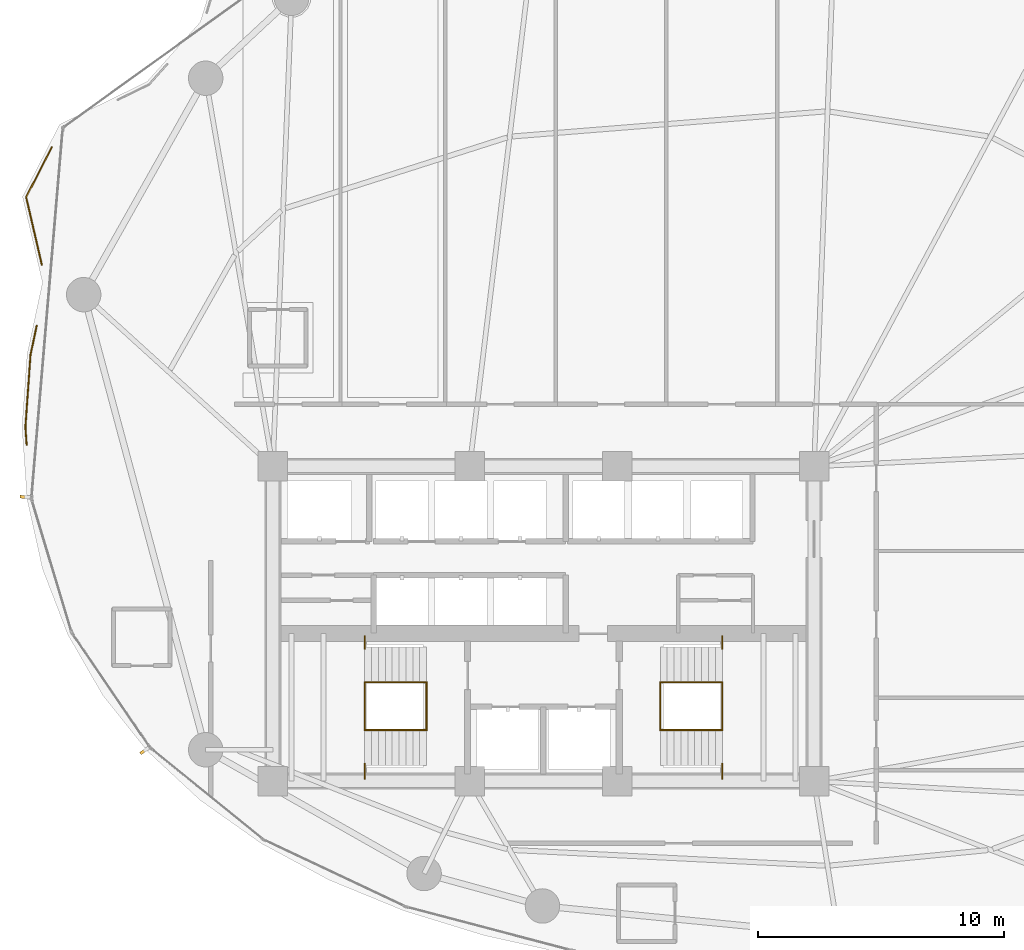
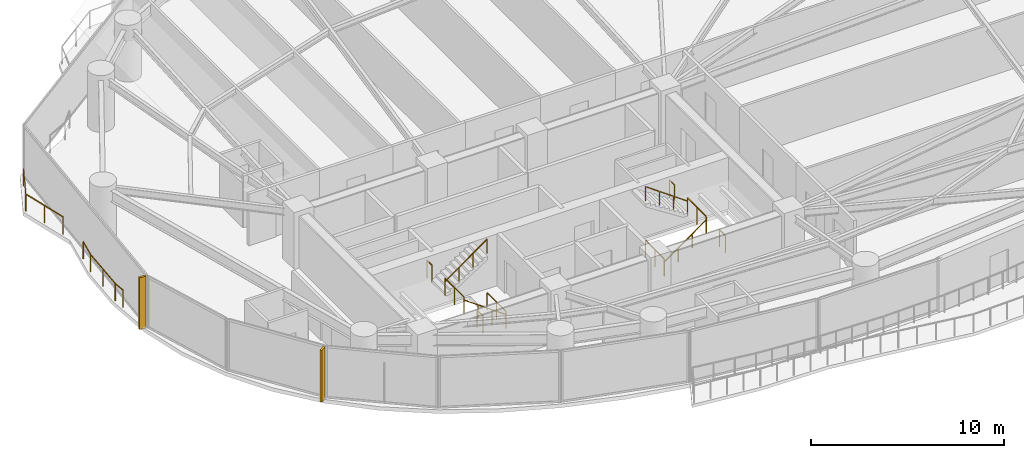
# One storey, part 28 of 30: 14 railings, 2 shading devices.
"""IFC4 building model written with IfcOpenShell, lengths in metres."""

from ifc_helpers import new_model, si_unit, direction, frame, origin, origin_2d, place, context, subcontext, project, spatial, rectangle, extrude, material, type_object, element, save


model = new_model("IFC4")

# Units and contexts
model_context = context("Model", 3, precision=1e-05, world=origin(), true_north=direction((0.0, 1.0)))
body_context = subcontext(model_context, "Body", "Model", "MODEL_VIEW")
ifc_project = project(units=[si_unit("LENGTHUNIT", "METRE"), si_unit("AREAUNIT", "SQUARE_METRE"), si_unit("VOLUMEUNIT", "CUBIC_METRE"), si_unit("PLANEANGLEUNIT", "RADIAN"), si_unit("MASSUNIT", "GRAM", prefix="KILO")], contexts=[model_context])

# Site, building, storey
site_placement = place(None, origin())
site = spatial("IfcSite", under=ifc_project, at=site_placement, CompositionType="ELEMENT")
building_placement = place(site_placement, origin())
building = spatial("IfcBuilding", under=site, at=building_placement, Name="Kazevale Care Tower and Concert Hall", CompositionType="ELEMENT")
storey_placement = place(building_placement, frame((0.0, 0.0, 88.800048828125)))
storey = spatial("IfcBuildingStorey", under=building, at=storey_placement, Name="L23", CompositionType="ELEMENT", Elevation=88.800048828125)

# Railings
ifc_material_1 = material(Name="Anodised Bronze Aluminium and Laminated Glass", Category="aluminium")
railing_type_1 = type_object("IfcRailingType", Name="Balcony and Terrace Balustrade 1120", PredefinedType="BALUSTRADE", material=ifc_material_1)
railing_1_placement = place(storey_placement, frame((11.990966796875, 37.282958984375, 0.0)))
element("IfcRailing", 1, at=railing_1_placement, inside=storey, type_object=railing_type_1, Name="rail:L23:perim:1", PredefinedType="BALUSTRADE", context=body_context, shape_type="SweptSolid", body=[
    extrude(rectangle(XDim=0.048095703125, YDim=0.048095703125, at=origin_2d()), frame((0.0, 0.0, 1.09619140625), z_axis=(-0.070981554075, 0.997477628311, 0.0), x_axis=(-0.997477628311, -0.070981554075, 0.0)), (0.0, 0.0, 1.0), 0.71875),
    extrude(rectangle(XDim=0.048095703125, YDim=0.048095703125, at=origin_2d()), frame((-0.051025390625, 0.717041015625, 1.09619140625), z_axis=(0.070669368456, 0.997499794668, 0.0), x_axis=(-0.997499794668, 0.070669368456, 0.0)), (0.0, 0.0, 1.0), 2.943359375),
    extrude(rectangle(XDim=0.048095703125, YDim=0.048095703125, at=origin_2d()), frame((0.156982421875, 3.653076171875, 1.09619140625), z_axis=(0.20840244995, 0.978043157971, 0.0), x_axis=(-0.978043157971, 0.20840244995, 0.0)), (0.0, 0.0, 1.0), 1.213623046875),
    extrude(rectangle(XDim=0.0419921875, YDim=0.0419921875, at=origin_2d()), origin(), (0.0, 0.0, 1.0), 1.072021484375),
    extrude(rectangle(XDim=0.0419921875, YDim=0.0419921875, at=origin_2d()), frame((-0.051025390625, 0.717041015625, 0.0)), (0.0, 0.0, 1.0), 1.072021484375),
    extrude(rectangle(XDim=0.0419921875, YDim=0.0419921875, at=origin_2d()), frame((0.052978515625, 2.18505859375, 0.0)), (0.0, 0.0, 1.0), 1.072021484375),
    extrude(rectangle(XDim=0.0419921875, YDim=0.0419921875, at=origin_2d()), frame((0.156982421875, 3.653076171875, 0.0)), (0.0, 0.0, 1.0), 1.072021484375),
    extrude(rectangle(XDim=0.0419921875, YDim=0.0419921875, at=origin_2d()), frame((0.409912109375, 4.840087890625, 0.0)), (0.0, 0.0, 1.0), 1.072021484375),
])
railing_2_placement = place(storey_placement, frame((12.610107421875, 44.589111328125, 0.0)))
element("IfcRailing", 2, at=railing_2_placement, inside=storey, type_object=railing_type_1, Name="rail:L23:perim:2", PredefinedType="BALUSTRADE", context=body_context, shape_type="SweptSolid", body=[
    extrude(rectangle(XDim=0.048095703125, YDim=0.048095703125, at=origin_2d()), frame((0.0, 0.0, 1.09619140625), z_axis=(-0.226258373422, 0.974067322343, 0.0), x_axis=(-0.974067322343, -0.226258373422, 0.0)), (0.0, 0.0, 1.0), 2.829345703125),
    extrude(rectangle(XDim=0.048095703125, YDim=0.048095703125, at=origin_2d()), frame((-0.64013671875, 2.755859375, 1.09619140625), z_axis=(0.456998556615, 0.889467435746, 0.0), x_axis=(-0.889467435746, 0.456998556615, 0.0)), (0.0, 0.0, 1.0), 2.2890625),
    extrude(rectangle(XDim=0.0419921875, YDim=0.0419921875, at=origin_2d()), origin(), (0.0, 0.0, 1.0), 1.072021484375),
    extrude(rectangle(XDim=0.0419921875, YDim=0.0419921875, at=origin_2d()), frame((-0.320068359375, 1.3779296875, 0.0)), (0.0, 0.0, 1.0), 1.072021484375),
    extrude(rectangle(XDim=0.0419921875, YDim=0.0419921875, at=origin_2d()), frame((-0.64013671875, 2.755859375, 0.0)), (0.0, 0.0, 1.0), 1.072021484375),
    extrude(rectangle(XDim=0.0419921875, YDim=0.0419921875, at=origin_2d()), frame((0.406005859375, 4.7919921875, 0.0)), (0.0, 0.0, 1.0), 1.072021484375),
])
ifc_material_2 = material(Name="Stainless Steel 316", Category="steel")
railing_type_2 = type_object("IfcRailingType", Name="Stair Pitch Handrail 920", PredefinedType="HANDRAIL", material=ifc_material_2)
railing_3_placement = place(storey_placement, frame((28.25, 25.679931640625, 0.0)))
element("IfcRailing", 3, at=railing_3_placement, inside=storey, type_object=railing_type_2, Name="stair:L23:ST1:hr1", PredefinedType="HANDRAIL", context=body_context, shape_type="SweptSolid", body=[
    extrude(rectangle(XDim=0.048095703125, YDim=0.048095703125, at=origin_2d()), frame((0.0, 0.0, 0.89599609375), z_axis=(-0.813728144527, 0.0, 0.581245650998), x_axis=(0.0, -1.0, 0.0)), (0.0, 0.0, 1.0), 3.096923828125),
    extrude(rectangle(XDim=0.0419921875, YDim=0.0419921875, at=origin_2d()), origin(), (0.0, 0.0, 1.0), 0.871826171875),
    extrude(rectangle(XDim=0.0419921875, YDim=0.0419921875, at=origin_2d()), frame((-0.840087890625, 0.0, 0.60009765625)), (0.0, 0.0, 1.0), 0.871826171875),
    extrude(rectangle(XDim=0.0419921875, YDim=0.0419921875, at=origin_2d()), frame((-1.679931640625, 0.0, 1.199951171875)), (0.0, 0.0, 1.0), 0.871826171875),
    extrude(rectangle(XDim=0.0419921875, YDim=0.0419921875, at=origin_2d()), frame((-2.52001953125, 0.0, 1.800048828125)), (0.0, 0.0, 1.0), 0.871826171875),
])
railing_4_placement = place(storey_placement, frame((25.72998046875, 27.6201171875, 1.800048828125)))
element("IfcRailing", 4, at=railing_4_placement, inside=storey, type_object=railing_type_2, Name="stair:L23:ST1:hr2", PredefinedType="HANDRAIL", context=body_context, shape_type="SweptSolid", body=[
    extrude(rectangle(XDim=0.048095703125, YDim=0.048095703125, at=origin_2d()), frame((0.0, 0.0, 0.89599609375), z_axis=(0.813765431312, 0.0, 0.581193446971), x_axis=(0.0, 1.0, 0.0)), (0.0, 0.0, 1.0), 3.0966796875),
    extrude(rectangle(XDim=0.0419921875, YDim=0.0419921875, at=origin_2d()), origin(), (0.0, 0.0, 1.0), 0.871826171875),
    extrude(rectangle(XDim=0.0419921875, YDim=0.0419921875, at=origin_2d()), frame((0.840087890625, 0.0, 0.599853515625)), (0.0, 0.0, 1.0), 0.871826171875),
    extrude(rectangle(XDim=0.0419921875, YDim=0.0419921875, at=origin_2d()), frame((1.679931640625, 0.0, 1.199951171875)), (0.0, 0.0, 1.0), 0.871826171875),
    extrude(rectangle(XDim=0.0419921875, YDim=0.0419921875, at=origin_2d()), frame((2.52001953125, 0.0, 1.7998046875)), (0.0, 0.0, 1.0), 0.871826171875),
])
railing_5_placement = place(storey_placement, frame((37.75, 25.679931640625, 0.0)))
element("IfcRailing", 5, at=railing_5_placement, inside=storey, type_object=railing_type_2, Name="stair:L23:ST2:hr1", PredefinedType="HANDRAIL", context=body_context, shape_type="SweptSolid", body=[
    extrude(rectangle(XDim=0.048095703125, YDim=0.048095703125, at=origin_2d()), frame((0.0, 0.0, 0.89599609375), z_axis=(0.813728144527, 0.0, 0.581245650998), x_axis=(0.0, 1.0, 0.0)), (0.0, 0.0, 1.0), 3.096923828125),
    extrude(rectangle(XDim=0.0419921875, YDim=0.0419921875, at=origin_2d()), origin(), (0.0, 0.0, 1.0), 0.871826171875),
    extrude(rectangle(XDim=0.0419921875, YDim=0.0419921875, at=origin_2d()), frame((0.840087890625, 0.0, 0.60009765625)), (0.0, 0.0, 1.0), 0.871826171875),
    extrude(rectangle(XDim=0.0419921875, YDim=0.0419921875, at=origin_2d()), frame((1.679931640625, 0.0, 1.199951171875)), (0.0, 0.0, 1.0), 0.871826171875),
    extrude(rectangle(XDim=0.0419921875, YDim=0.0419921875, at=origin_2d()), frame((2.52001953125, 0.0, 1.800048828125)), (0.0, 0.0, 1.0), 0.871826171875),
])
railing_6_placement = place(storey_placement, frame((40.27001953125, 27.6201171875, 1.800048828125)))
element("IfcRailing", 6, at=railing_6_placement, inside=storey, type_object=railing_type_2, Name="stair:L23:ST2:hr2", PredefinedType="HANDRAIL", context=body_context, shape_type="SweptSolid", body=[
    extrude(rectangle(XDim=0.048095703125, YDim=0.048095703125, at=origin_2d()), frame((0.0, 0.0, 0.89599609375), z_axis=(-0.813765431312, 0.0, 0.581193446971), x_axis=(0.0, -1.0, 0.0)), (0.0, 0.0, 1.0), 3.0966796875),
    extrude(rectangle(XDim=0.0419921875, YDim=0.0419921875, at=origin_2d()), origin(), (0.0, 0.0, 1.0), 0.871826171875),
    extrude(rectangle(XDim=0.0419921875, YDim=0.0419921875, at=origin_2d()), frame((-0.840087890625, 0.0, 0.599853515625)), (0.0, 0.0, 1.0), 0.871826171875),
    extrude(rectangle(XDim=0.0419921875, YDim=0.0419921875, at=origin_2d()), frame((-1.679931640625, 0.0, 1.199951171875)), (0.0, 0.0, 1.0), 0.871826171875),
    extrude(rectangle(XDim=0.0419921875, YDim=0.0419921875, at=origin_2d()), frame((-2.52001953125, 0.0, 1.7998046875)), (0.0, 0.0, 1.0), 0.871826171875),
])
railing_type_3 = type_object("IfcRailingType", Name="Stair Well Guard Balustrade 1120", PredefinedType="BALUSTRADE", material=ifc_material_2)
railing_7_placement = place(storey_placement, frame((25.72998046875, 23.699951171875, 1.800048828125)))
element("IfcRailing", 7, at=railing_7_placement, inside=storey, type_object=railing_type_3, Name="stair:L23:ST1:grd_side1", PredefinedType="BALUSTRADE", context=body_context, shape_type="SweptSolid", body=[
    extrude(rectangle(XDim=0.048095703125, YDim=0.048095703125, at=origin_2d()), frame((0.0, 0.0, 1.09619140625), z_axis=(0.0, 1.0, 0.0), x_axis=(-1.0, 0.0, 0.0)), (0.0, 0.0, 1.0), 0.610107421875),
    extrude(rectangle(XDim=0.0419921875, YDim=0.0419921875, at=origin_2d()), origin(), (0.0, 0.0, 1.0), 1.072021484375),
    extrude(rectangle(XDim=0.0419921875, YDim=0.0419921875, at=origin_2d()), frame((0.0, 0.610107421875, 0.0)), (0.0, 0.0, 1.0), 1.072021484375),
])
railing_8_placement = place(storey_placement, frame((25.72998046875, 28.989990234375, 1.800048828125)))
element("IfcRailing", 8, at=railing_8_placement, inside=storey, type_object=railing_type_3, Name="stair:L23:ST1:grd_side2", PredefinedType="BALUSTRADE", context=body_context, shape_type="SweptSolid", body=[
    extrude(rectangle(XDim=0.048095703125, YDim=0.048095703125, at=origin_2d()), frame((0.0, 0.0, 1.09619140625), z_axis=(0.0, 1.0, 0.0), x_axis=(-1.0, 0.0, 0.0)), (0.0, 0.0, 1.0), 0.510009765625),
    extrude(rectangle(XDim=0.0419921875, YDim=0.0419921875, at=origin_2d()), origin(), (0.0, 0.0, 1.0), 1.072021484375),
    extrude(rectangle(XDim=0.0419921875, YDim=0.0419921875, at=origin_2d()), frame((0.0, 0.510009765625, 0.0)), (0.0, 0.0, 1.0), 1.072021484375),
])
for number, where, name in (
    (9, (25.72998046875, 25.679931640625, 1.800048828125), "stair:L23:ST1:grd_mid"),
    (10, (28.25, 25.679931640625, 0.0), "stair:L23:ST1:grd_flr"),
):
    element("IfcRailing", number, at=place(storey_placement, frame(where)), inside=storey, type_object=railing_type_3, Name=name, PredefinedType="BALUSTRADE", context=body_context, shape_type="SweptSolid", body=[
        extrude(rectangle(XDim=0.048095703125, YDim=0.048095703125, at=origin_2d()), frame((0.0, 0.0, 1.09619140625), z_axis=(0.0, 1.0, 0.0), x_axis=(-1.0, 0.0, 0.0)), (0.0, 0.0, 1.0), 1.940185546875),
        extrude(rectangle(XDim=0.0419921875, YDim=0.0419921875, at=origin_2d()), origin(), (0.0, 0.0, 1.0), 1.072021484375),
        extrude(rectangle(XDim=0.0419921875, YDim=0.0419921875, at=origin_2d()), frame((0.0, 0.97021484375, 0.0)), (0.0, 0.0, 1.0), 1.072021484375),
        extrude(rectangle(XDim=0.0419921875, YDim=0.0419921875, at=origin_2d()), frame((0.0, 1.940185546875, 0.0)), (0.0, 0.0, 1.0), 1.072021484375),
    ])
railing_9_placement = place(storey_placement, frame((40.27001953125, 23.699951171875, 1.800048828125)))
element("IfcRailing", 11, at=railing_9_placement, inside=storey, type_object=railing_type_3, Name="stair:L23:ST2:grd_side1", PredefinedType="BALUSTRADE", context=body_context, shape_type="SweptSolid", body=[
    extrude(rectangle(XDim=0.048095703125, YDim=0.048095703125, at=origin_2d()), frame((0.0, 0.0, 1.09619140625), z_axis=(0.0, 1.0, 0.0), x_axis=(-1.0, 0.0, 0.0)), (0.0, 0.0, 1.0), 0.610107421875),
    extrude(rectangle(XDim=0.0419921875, YDim=0.0419921875, at=origin_2d()), origin(), (0.0, 0.0, 1.0), 1.072021484375),
    extrude(rectangle(XDim=0.0419921875, YDim=0.0419921875, at=origin_2d()), frame((0.0, 0.610107421875, 0.0)), (0.0, 0.0, 1.0), 1.072021484375),
])
railing_10_placement = place(storey_placement, frame((40.27001953125, 28.989990234375, 1.800048828125)))
element("IfcRailing", 12, at=railing_10_placement, inside=storey, type_object=railing_type_3, Name="stair:L23:ST2:grd_side2", PredefinedType="BALUSTRADE", context=body_context, shape_type="SweptSolid", body=[
    extrude(rectangle(XDim=0.048095703125, YDim=0.048095703125, at=origin_2d()), frame((0.0, 0.0, 1.09619140625), z_axis=(0.0, 1.0, 0.0), x_axis=(-1.0, 0.0, 0.0)), (0.0, 0.0, 1.0), 0.510009765625),
    extrude(rectangle(XDim=0.0419921875, YDim=0.0419921875, at=origin_2d()), origin(), (0.0, 0.0, 1.0), 1.072021484375),
    extrude(rectangle(XDim=0.0419921875, YDim=0.0419921875, at=origin_2d()), frame((0.0, 0.510009765625, 0.0)), (0.0, 0.0, 1.0), 1.072021484375),
])
for number, where, name in (
    (13, (40.27001953125, 25.679931640625, 1.800048828125), "stair:L23:ST2:grd_mid"),
    (14, (37.75, 25.679931640625, 0.0), "stair:L23:ST2:grd_flr"),
):
    element("IfcRailing", number, at=place(storey_placement, frame(where)), inside=storey, type_object=railing_type_3, Name=name, PredefinedType="BALUSTRADE", context=body_context, shape_type="SweptSolid", body=[
        extrude(rectangle(XDim=0.048095703125, YDim=0.048095703125, at=origin_2d()), frame((0.0, 0.0, 1.09619140625), z_axis=(0.0, 1.0, 0.0), x_axis=(-1.0, 0.0, 0.0)), (0.0, 0.0, 1.0), 1.940185546875),
        extrude(rectangle(XDim=0.0419921875, YDim=0.0419921875, at=origin_2d()), origin(), (0.0, 0.0, 1.0), 1.072021484375),
        extrude(rectangle(XDim=0.0419921875, YDim=0.0419921875, at=origin_2d()), frame((0.0, 0.97021484375, 0.0)), (0.0, 0.0, 1.0), 1.072021484375),
        extrude(rectangle(XDim=0.0419921875, YDim=0.0419921875, at=origin_2d()), frame((0.0, 1.940185546875, 0.0)), (0.0, 0.0, 1.0), 1.072021484375),
    ])

# Shading devices
ifc_material_3 = material(Name="Honed Ochre Limestone", Category="masonry")
shading_device_type = type_object("IfcShadingDeviceType", Name="Vertical Honed Limestone Fin FIN-01", PredefinedType="USERDEFINED", material=ifc_material_3)
for number, where, z_axis, x_axis, name in (
    (15, (16.7705078125, 24.83447265625, 0.0), (0.0, 0.0, 1.0), (-0.825999928064, -0.563670221706, 0.0), "cw:L23:f11:fin"),
    (16, (11.915283203125, 35.154296875, 0.0), (0.0, 0.0, 1.0), (-0.99643419826, 0.084373506139, 0.0), "cw:L23:f13:fin"),
):
    element("IfcShadingDevice", number, at=place(storey_placement, frame(where, z_axis=z_axis, x_axis=x_axis)), inside=storey, type_object=shading_device_type, Name=name, ObjectType="FIN", PredefinedType="USERDEFINED", context=body_context, shape_type="SweptSolid", body=[
        extrude(rectangle(XDim=0.3798828125, YDim=0.1201171875, at=origin_2d()), origin(), (0.0, 0.0, 1.0), 3.280029296875),
    ])

save(model, "model.ifc")
